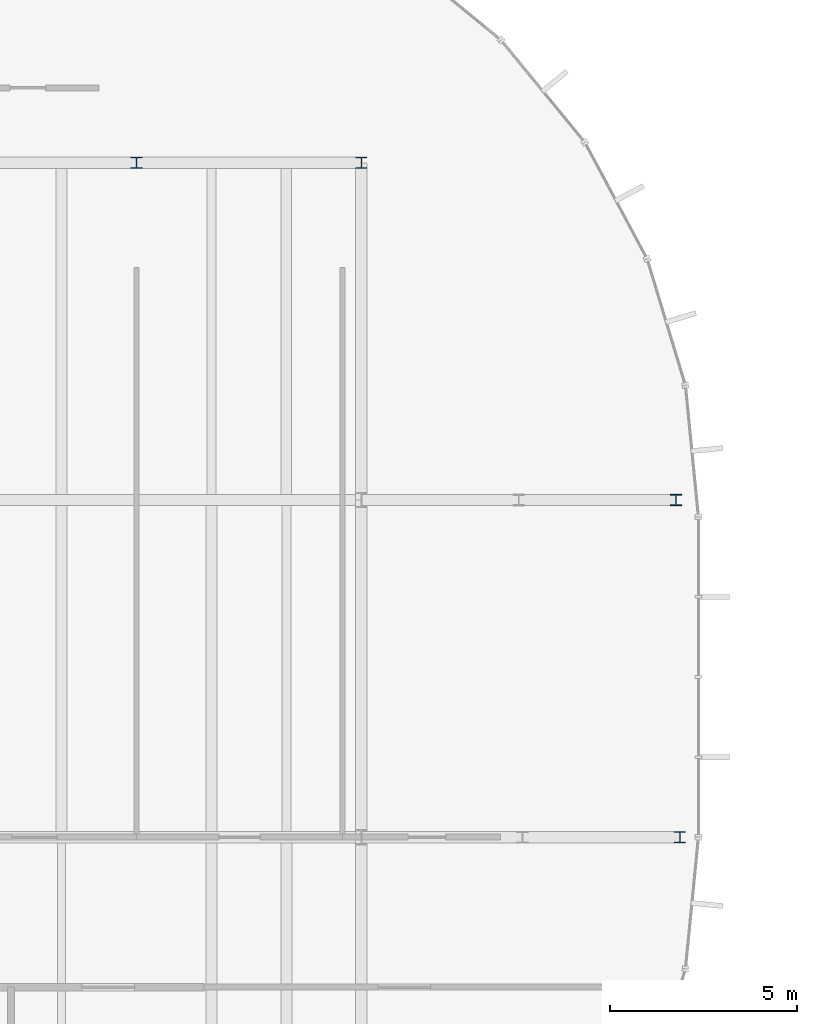
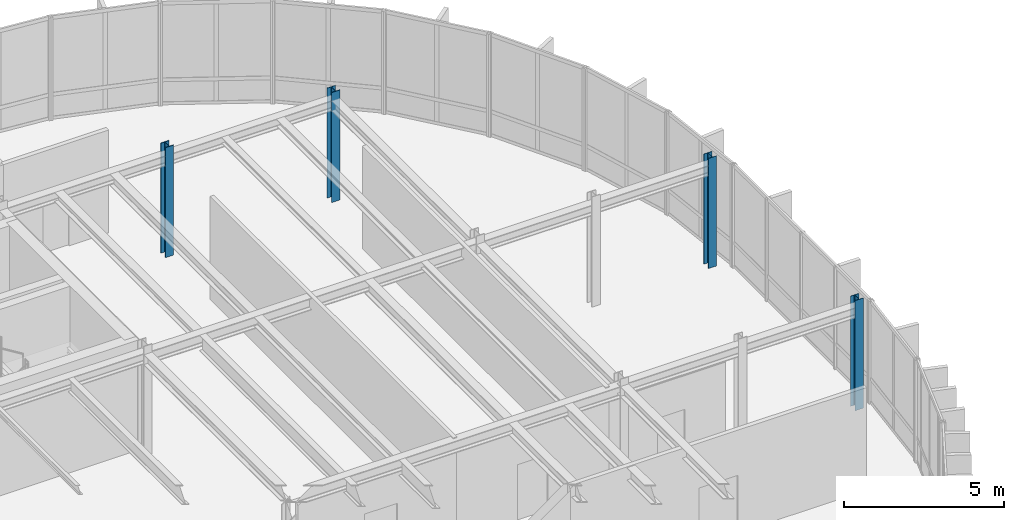
# One storey, part 4 of 27: 4 columns.
"""IFC4 building model written with IfcOpenShell, lengths in metres."""

from ifc_helpers import new_model, si_unit, direction, frame, origin, origin_2d, place, context, subcontext, project, spatial, i_section, extrude, material, material_profile, profile_set, type_object, element, save


model = new_model("IFC4")

# Units and contexts
model_context = context("Model", 3, precision=1e-05, world=origin(), true_north=direction((0.0, 1.0)))
body_context = subcontext(model_context, "Body", "Model", "MODEL_VIEW")
ifc_project = project(units=[si_unit("LENGTHUNIT", "METRE"), si_unit("AREAUNIT", "SQUARE_METRE"), si_unit("VOLUMEUNIT", "CUBIC_METRE"), si_unit("PLANEANGLEUNIT", "RADIAN"), si_unit("MASSUNIT", "GRAM", prefix="KILO")], contexts=[model_context])

# Site, building, storey
site_placement = place(None, origin())
site = spatial("IfcSite", under=ifc_project, at=site_placement, CompositionType="ELEMENT")
building_placement = place(site_placement, origin())
building = spatial("IfcBuilding", under=site, at=building_placement, Name="Montealbar Specialist Clinic", CompositionType="ELEMENT")
storey_placement = place(building_placement, frame((0.0, 0.0, 18.0)))
storey = spatial("IfcBuildingStorey", under=building, at=storey_placement, Name="L04", CompositionType="ELEMENT", Elevation=18.0)

# Columns
ifc_material = material(Name="Steel S355", Category="steel")
ifc_material_profile_1 = material_profile(ifc_material, i_section(OverallWidth=0.300048828125, OverallDepth=0.300048828125, WebThickness=0.010986328125, FlangeThickness=0.01904296875, FilletRadius=0.027099609375, at=origin_2d()), Name="HEB 300", Category="steel")
ifc_profile_set_1 = profile_set([ifc_material_profile_1], Name="Steel S355")
column_type_1 = type_object("IfcColumnType", Name="COL-S-L04-STD", PredefinedType="COLUMN", material=ifc_profile_set_1)
for number, where, z_axis, x_axis, name in (
    (1, (105.0, 36.0, 0.0), (0.0, 0.0, 1.0), (1.0, 0.0, 0.0), "Column 14/E L04"),
    (2, (111.0, 36.0, 0.0), (0.0, 0.0, 1.0), (1.0, 0.0, 0.0), "Column 15/E L04"),
):
    element("IfcColumn", number, at=place(storey_placement, frame(where, z_axis=z_axis, x_axis=x_axis)), inside=storey, type_object=column_type_1, Name=name, PredefinedType="COLUMN", context=body_context, shape_type="SweptSolid", body=[
        extrude(i_section(OverallWidth=0.300048828125, OverallDepth=0.300048828125, WebThickness=0.010986328125, FlangeThickness=0.01904296875, FilletRadius=0.027099609375, at=origin_2d()), origin(), (0.0, 0.0, 1.0), 4.199951171875),
    ])
ifc_material_profile_2 = material_profile(ifc_material, i_section(OverallWidth=0.300048828125, OverallDepth=0.300048828125, WebThickness=0.010986328125, FlangeThickness=0.01904296875, FilletRadius=0.027099609375, at=origin_2d()), Name="HEB 300", Category="steel")
ifc_profile_set_2 = profile_set([ifc_material_profile_2], Name="Steel S355")
column_type_2 = type_object("IfcColumnType", Name="COL-S-L04-STD-EXT", PredefinedType="COLUMN", material=ifc_profile_set_2)
for number, where, z_axis, x_axis, name in (
    (3, (119.39990234375, 27.0, 0.0), (0.0, 0.0, 1.0), (1.0, 0.0, 0.0), "Column 16E/D L04"),
    (4, (119.5, 18.0, 0.0), (0.0, 0.0, 1.0), (1.0, 0.0, 0.0), "Column 16E/C L04"),
):
    element("IfcColumn", number, at=place(storey_placement, frame(where, z_axis=z_axis, x_axis=x_axis)), inside=storey, type_object=column_type_2, Name=name, PredefinedType="COLUMN", context=body_context, shape_type="SweptSolid", body=[
        extrude(i_section(OverallWidth=0.300048828125, OverallDepth=0.300048828125, WebThickness=0.010986328125, FlangeThickness=0.01904296875, FilletRadius=0.027099609375, at=origin_2d()), origin(), (0.0, 0.0, 1.0), 4.199951171875),
    ])

save(model, "model.ifc")
